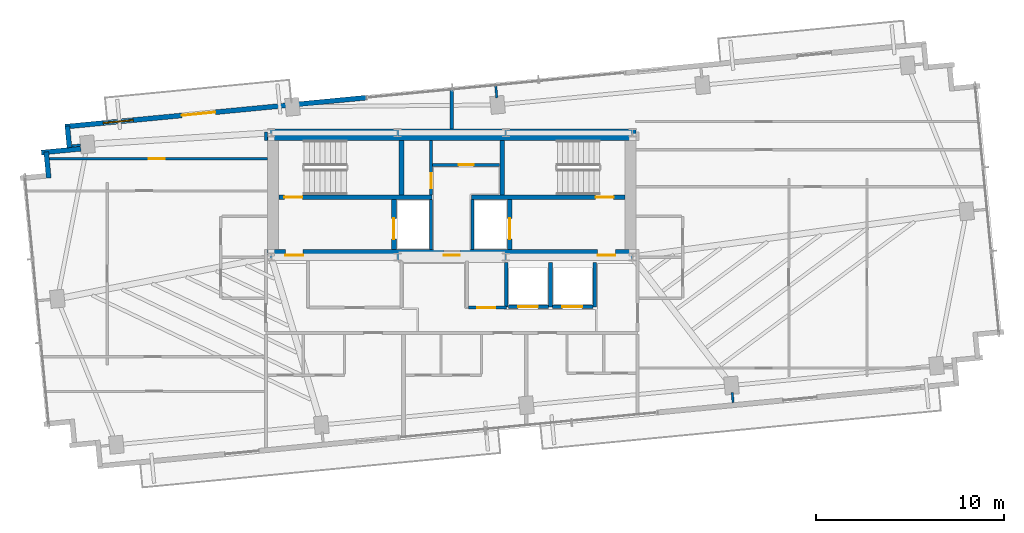
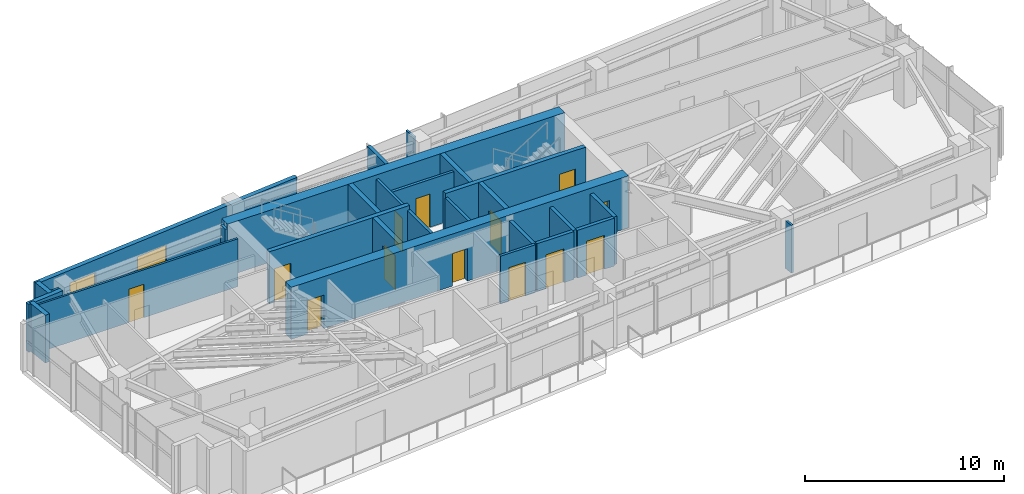
# One storey, part 14 of 18: 28 walls, 14 doors, 1 window, 15 openings.
"""IFC4 building model written with IfcOpenShell, lengths in metres."""

from ifc_helpers import new_model, si_unit, direction, frame, frame_2d, origin, place, context, subcontext, project, spatial, rectangle, extrude, source, transform, mapped, material, layer, layer_set, type_object, type_shapes, element, fill, save


model = new_model("IFC4")

# Units and contexts
model_context = context("Model", 3, precision=1e-05, world=origin(), true_north=direction((0.0, 1.0)))
body_context = subcontext(model_context, "Body", "Model", "MODEL_VIEW")
ifc_project = project(units=[si_unit("LENGTHUNIT", "METRE"), si_unit("AREAUNIT", "SQUARE_METRE"), si_unit("VOLUMEUNIT", "CUBIC_METRE"), si_unit("PLANEANGLEUNIT", "RADIAN"), si_unit("MASSUNIT", "GRAM", prefix="KILO")], contexts=[model_context])

# Site, building, storey
site_placement = place(None, origin())
site = spatial("IfcSite", under=ifc_project, at=site_placement, CompositionType="ELEMENT")
building_placement = place(site_placement, origin())
building = spatial("IfcBuilding", under=site, at=building_placement, Name="Astriad Promenade Condominiums", CompositionType="ELEMENT")
storey_placement = place(building_placement, frame((0.0, 0.0, 198.60009765625)))
storey = spatial("IfcBuildingStorey", under=building, at=storey_placement, Name="L57", CompositionType="ELEMENT", Elevation=198.60009765625)

# Wall, openings, doors
ifc_material_1 = material(Name="Concrete C50/60", Category="concrete")
ifc_layer_1 = layer(ifc_material_1, 0.60009765625)
ifc_layer_set_1 = layer_set([ifc_layer_1], Name="Concrete C50/60")
wall_type_1 = type_object("IfcWallType", Name="CW-SHEAR-600", PredefinedType="SHEAR", material=ifc_layer_set_1)
wall_1_placement = place(storey_placement, frame((26.199951171875, 17.5, 0.0), z_axis=(0.0, 0.0, 1.0), x_axis=(1.0, 0.0, 0.0)))
wall_1 = element("IfcWall", 1, at=wall_1_placement, inside=storey, type_object=wall_type_1, Name="CW-CORE-S-L57", PredefinedType="SHEAR", context=body_context, shape_type="SweptSolid", body=[
    extrude(rectangle(XDim=19.60009765625, YDim=0.60009765625, at=frame_2d((9.800048828125, 0.0))), origin(), (0.0, 0.0, 1.0), 3.199951171875),
])
opening_1_placement = place(wall_1_placement, frame((0.949951171875, 0.0, 0.0)))
opening_1 = element("IfcOpeningElement", 2, at=opening_1_placement, cuts=wall_1, Name="Opening FD90-ST-095", PredefinedType="OPENING", context=body_context, shape_type="SweptSolid", body=[
    extrude(rectangle(XDim=0.949951171875, YDim=2.06005859375, at=frame_2d((0.47509765625, 1.030029296875))), frame((0.0, 0.31005859375, 0.0), z_axis=(0.0, -1.0, 0.0), x_axis=(1.0, 0.0, 0.0)), (0.0, 0.0, 1.0), 0.6201171875),
])
opening_2_placement = place(wall_1_placement, frame((9.3798828125, 0.0, 0.0)))
opening_2 = element("IfcOpeningElement", 3, at=opening_2_placement, cuts=wall_1, Name="Opening FD60-ULOW-085", PredefinedType="OPENING", context=body_context, shape_type="SweptSolid", body=[
    extrude(rectangle(XDim=0.85009765625, YDim=2.0, at=frame_2d((0.425048828125, 1.0))), frame((0.0, 0.31005859375, 0.0), z_axis=(0.0, -1.0, 0.0), x_axis=(1.0, 0.0, 0.0)), (0.0, 0.0, 1.0), 0.6201171875),
])
opening_3_placement = place(wall_1_placement, frame((17.550048828125, 0.0, 0.0)))
opening_3 = element("IfcOpeningElement", 4, at=opening_3_placement, cuts=wall_1, Name="Opening FD90-ST-095", PredefinedType="OPENING", context=body_context, shape_type="SweptSolid", body=[
    extrude(rectangle(XDim=0.949951171875, YDim=2.06005859375, at=frame_2d((0.47509765625, 1.030029296875))), frame((0.0, 0.31005859375, 0.0), z_axis=(0.0, -1.0, 0.0), x_axis=(1.0, 0.0, 0.0)), (0.0, 0.0, 1.0), 0.6201171875),
])
ifc_material_2 = material(Name="Fire-Rated Hollow Metal Stair Door")
door_type_1 = type_object("IfcDoorType", Name="FD90-ST-095", OperationType="NOTDEFINED", PredefinedType="DOOR", material=ifc_material_2)
shared_shape_1 = source(origin(), body_context, "Body", "SweptSolid", [
    extrude(rectangle(XDim=0.949951171875, YDim=2.06005859375, at=frame_2d((0.47509765625, 1.030029296875))), frame((0.0, 0.02490234375, 0.0), z_axis=(0.0, -1.0, 0.0), x_axis=(1.0, 0.0, 0.0)), (0.0, 0.0, 1.0), 0.050048828125),
])
type_shapes(door_type_1, [shared_shape_1])
door_1_placement = place(opening_1_placement, origin())
door_1 = element("IfcDoor", 5, at=door_1_placement, inside=storey, type_object=door_type_1, Name="D-FFW-L57", OperationType="SINGLE_SWING_LEFT", OverallHeight=2.06005859375, OverallWidth=0.949951171875, PredefinedType="DOOR", context=body_context, shape_type="MappedRepresentation", body=[
    mapped(shared_shape_1, transform((0.0, 0.0, 0.0), scale=1.0)),
])
fill(opening_1, door_1)
door_2_placement = place(opening_3_placement, origin())
door_2 = element("IfcDoor", 6, at=door_2_placement, inside=storey, type_object=door_type_1, Name="D-FFE-L57", OperationType="SINGLE_SWING_RIGHT", OverallHeight=2.06005859375, OverallWidth=0.949951171875, PredefinedType="DOOR", context=body_context, shape_type="MappedRepresentation", body=[
    mapped(shared_shape_1, transform((0.0, 0.0, 0.0), scale=1.0)),
])
fill(opening_3, door_2)
ifc_material_3 = material(Name="Solid-Core Low-Headroom Fire Door")
door_type_2 = type_object("IfcDoorType", Name="FD60-ULOW-085", OperationType="NOTDEFINED", PredefinedType="DOOR", material=ifc_material_3)
shared_shape_2 = source(origin(), body_context, "Body", "SweptSolid", [
    extrude(rectangle(XDim=0.85009765625, YDim=2.0, at=frame_2d((0.425048828125, 1.0))), frame((0.0, 0.02490234375, 0.0), z_axis=(0.0, -1.0, 0.0), x_axis=(1.0, 0.0, 0.0)), (0.0, 0.0, 1.0), 0.050048828125),
])
type_shapes(door_type_2, [shared_shape_2])
door_3_placement = place(opening_2_placement, origin())
door_3 = element("IfcDoor", 7, at=door_3_placement, inside=storey, type_object=door_type_2, Name="D-CSL-L57", OperationType="SINGLE_SWING_RIGHT", OverallHeight=2.0, OverallWidth=0.85009765625, PredefinedType="DOOR", context=body_context, shape_type="MappedRepresentation", body=[
    mapped(shared_shape_2, transform((0.0, 0.0, 0.0), scale=1.0)),
])
fill(opening_2, door_3)

# Wall
wall_2_placement = place(storey_placement, frame((26.199951171875, 23.89990234375, 0.0), z_axis=(0.0, 0.0, 1.0), x_axis=(1.0, 0.0, 0.0)))
element("IfcWall", 8, at=wall_2_placement, inside=storey, type_object=wall_type_1, Name="CW-CORE-N-L57", PredefinedType="SHEAR", context=body_context, shape_type="SweptSolid", body=[
    extrude(rectangle(XDim=19.60009765625, YDim=0.60009765625, at=frame_2d((9.800048828125, 0.0))), origin(), (0.0, 0.0, 1.0), 3.199951171875),
])

# Wall, opening, door
ifc_layer_2 = layer(ifc_material_1, 0.25)
ifc_layer_set_2 = layer_set([ifc_layer_2], Name="Concrete C50/60")
wall_type_2 = type_object("IfcWallType", Name="WALL-CORE-INT-250", PredefinedType="SOLIDWALL", material=ifc_layer_set_2)
wall_3_placement = place(storey_placement, frame((26.802001953125, 20.574951171875, 0.0), z_axis=(0.0, 0.0, 1.0), x_axis=(1.0, 0.0, 0.0)))
wall_3 = element("IfcWall", 9, at=wall_3_placement, inside=storey, type_object=wall_type_2, Name="CW-INT-H1-L57", PredefinedType="SOLIDWALL", context=body_context, shape_type="SweptSolid", body=[
    extrude(rectangle(XDim=8.14794921875, YDim=0.25, at=frame_2d((4.073974609375, 0.0))), origin(), (0.0, 0.0, 1.0), 3.199951171875),
])
opening_4_placement = place(wall_3_placement, frame((0.298095703125, 0.0, 0.0)))
opening_4 = element("IfcOpeningElement", 10, at=opening_4_placement, cuts=wall_3, Name="Opening FD90-ST-095", PredefinedType="OPENING", context=body_context, shape_type="SweptSolid", body=[
    extrude(rectangle(XDim=0.949951171875, YDim=2.06005859375, at=frame_2d((0.47509765625, 1.030029296875))), frame((0.0, 0.135009765625, 0.0), z_axis=(0.0, -1.0, 0.0), x_axis=(1.0, 0.0, 0.0)), (0.0, 0.0, 1.0), 0.27001953125),
])
door_4_placement = place(opening_4_placement, origin())
door_4 = element("IfcDoor", 11, at=door_4_placement, inside=storey, type_object=door_type_1, Name="D-ST1-L57", OperationType="SINGLE_SWING_LEFT", OverallHeight=2.06005859375, OverallWidth=0.949951171875, PredefinedType="DOOR", context=body_context, shape_type="MappedRepresentation", body=[
    mapped(shared_shape_1, transform((0.0, 0.0, 0.0), scale=1.0)),
])
fill(opening_4, door_4)

wall_4_placement = place(storey_placement, frame((37.050048828125, 20.574951171875, 0.0), z_axis=(0.0, 0.0, 1.0), x_axis=(1.0, 0.0, 0.0)))
wall_4 = element("IfcWall", 12, at=wall_4_placement, inside=storey, type_object=wall_type_2, Name="CW-INT-H2-L57", PredefinedType="SOLIDWALL", context=body_context, shape_type="SweptSolid", body=[
    extrude(rectangle(XDim=8.14794921875, YDim=0.25, at=frame_2d((4.073974609375, 0.0))), origin(), (0.0, 0.0, 1.0), 3.199951171875),
])
opening_5_placement = place(wall_4_placement, frame((6.60009765625, 0.0, 0.0)))
opening_5 = element("IfcOpeningElement", 13, at=opening_5_placement, cuts=wall_4, Name="Opening FD90-ST-095", PredefinedType="OPENING", context=body_context, shape_type="SweptSolid", body=[
    extrude(rectangle(XDim=0.949951171875, YDim=2.06005859375, at=frame_2d((0.47509765625, 1.030029296875))), frame((0.0, 0.135009765625, 0.0), z_axis=(0.0, -1.0, 0.0), x_axis=(1.0, 0.0, 0.0)), (0.0, 0.0, 1.0), 0.27001953125),
])
door_5_placement = place(opening_5_placement, origin())
door_5 = element("IfcDoor", 14, at=door_5_placement, inside=storey, type_object=door_type_1, Name="D-ST2-L57", OperationType="SINGLE_SWING_RIGHT", OverallHeight=2.06005859375, OverallWidth=0.949951171875, PredefinedType="DOOR", context=body_context, shape_type="MappedRepresentation", body=[
    mapped(shared_shape_1, transform((0.0, 0.0, 0.0), scale=1.0)),
])
fill(opening_5, door_5)

# Walls
for number, where, z_axis, x_axis, name in (
    (15, (33.324951171875, 20.701904296875, 0.0), (0.0, 0.0, 1.0), (0.0, 1.0, 0.0), "CW-ST1-E-L57"),
    (16, (38.675048828125, 20.701904296875, 0.0), (0.0, 0.0, 1.0), (0.0, 1.0, 0.0), "CW-ST2-W-L57"),
):
    element("IfcWall", number, at=place(storey_placement, frame(where, z_axis=z_axis, x_axis=x_axis)), inside=storey, type_object=wall_type_2, Name=name, PredefinedType="SOLIDWALL", context=body_context, shape_type="SweptSolid", body=[
        extrude(rectangle(XDim=2.89599609375, YDim=0.25, at=frame_2d((1.447998046875, 0.0))), origin(), (0.0, 0.0, 1.0), 3.199951171875),
    ])

# Wall, opening, door
wall_5_placement = place(storey_placement, frame((32.925048828125, 17.802001953125, 0.0), z_axis=(0.0, 0.0, 1.0), x_axis=(0.0, 1.0, 0.0)))
wall_5 = element("IfcWall", 17, at=wall_5_placement, inside=storey, type_object=wall_type_2, Name="CW-FFL1-W-L57", PredefinedType="SOLIDWALL", context=body_context, shape_type="SweptSolid", body=[
    extrude(rectangle(XDim=2.64599609375, YDim=0.25, at=frame_2d((1.322998046875, 0.0))), origin(), (0.0, 0.0, 1.0), 3.199951171875),
])
opening_6_placement = place(wall_5_placement, frame((0.548095703125, 0.0, 0.0)))
opening_6 = element("IfcOpeningElement", 18, at=opening_6_placement, cuts=wall_5, Name="Opening LD-FFL-1122", PredefinedType="OPENING", context=body_context, shape_type="SweptSolid", body=[
    extrude(rectangle(XDim=1.10009765625, YDim=2.080078125, at=frame_2d((0.550048828125, 1.0400390625))), frame((0.0, 0.135009765625, 0.0), z_axis=(0.0, -1.0, 0.0), x_axis=(1.0, 0.0, 0.0)), (0.0, 0.0, 1.0), 0.27001953125),
])
ifc_material_4 = material(Name="Brushed Stainless Steel Fire Elevator Landing Door", Category="steel")
door_type_3 = type_object("IfcDoorType", Name="LD-FFL-1122", OperationType="NOTDEFINED", PredefinedType="DOOR", material=ifc_material_4)
shared_shape_3 = source(origin(), body_context, "Body", "SweptSolid", [
    extrude(rectangle(XDim=1.10009765625, YDim=2.080078125, at=frame_2d((0.550048828125, 1.0400390625))), frame((0.0, 0.02490234375, 0.0), z_axis=(0.0, -1.0, 0.0), x_axis=(1.0, 0.0, 0.0)), (0.0, 0.0, 1.0), 0.050048828125),
])
type_shapes(door_type_3, [shared_shape_3])
door_6_placement = place(opening_6_placement, origin())
door_6 = element("IfcDoor", 19, at=door_6_placement, inside=storey, type_object=door_type_3, Name="Elevator Landing Door FFL-1 (L57)", OperationType="SLIDING_TO_LEFT", OverallHeight=2.080078125, OverallWidth=1.10009765625, PredefinedType="DOOR", context=body_context, shape_type="MappedRepresentation", body=[
    mapped(shared_shape_3, transform((0.0, 0.0, 0.0), scale=1.0)),
])
fill(opening_6, door_6)

wall_6_placement = place(storey_placement, frame((39.074951171875, 17.802001953125, 0.0), z_axis=(0.0, 0.0, 1.0), x_axis=(0.0, 1.0, 0.0)))
wall_6 = element("IfcWall", 20, at=wall_6_placement, inside=storey, type_object=wall_type_2, Name="CW-FFL2-E-L57", PredefinedType="SOLIDWALL", context=body_context, shape_type="SweptSolid", body=[
    extrude(rectangle(XDim=2.64599609375, YDim=0.25, at=frame_2d((1.322998046875, 0.0))), origin(), (0.0, 0.0, 1.0), 3.199951171875),
])
opening_7_placement = place(wall_6_placement, frame((0.548095703125, 0.0, 0.0)))
opening_7 = element("IfcOpeningElement", 21, at=opening_7_placement, cuts=wall_6, Name="Opening LD-FFL-1122", PredefinedType="OPENING", context=body_context, shape_type="SweptSolid", body=[
    extrude(rectangle(XDim=1.10009765625, YDim=2.080078125, at=frame_2d((0.550048828125, 1.0400390625))), frame((0.0, 0.135009765625, 0.0), z_axis=(0.0, -1.0, 0.0), x_axis=(1.0, 0.0, 0.0)), (0.0, 0.0, 1.0), 0.27001953125),
])
door_7_placement = place(opening_7_placement, origin())
door_7 = element("IfcDoor", 22, at=door_7_placement, inside=storey, type_object=door_type_3, Name="Elevator Landing Door FFL-2 (L57)", OperationType="SLIDING_TO_RIGHT", OverallHeight=2.080078125, OverallWidth=1.10009765625, PredefinedType="DOOR", context=body_context, shape_type="MappedRepresentation", body=[
    mapped(shared_shape_3, transform((0.0, 0.0, 0.0), scale=1.0)),
])
fill(opening_7, door_7)

# Walls
ifc_material_5 = material(Name="Fire-Rated Gypsum Partition")
ifc_layer_3 = layer(ifc_material_5, 0.159912109375)
ifc_layer_set_3 = layer_set([ifc_layer_3], Name="Fire-Rated Gypsum Partition")
wall_type_3 = type_object("IfcWallType", Name="WALL-CORR-160", PredefinedType="PARTITIONING", material=ifc_layer_set_3)
for number, where, z_axis, x_axis, name in (
    (23, (34.89990234375, 17.802001953125, 0.0), (0.0, 0.0, 1.0), (0.0, 1.0, 0.0), "CW-FFL1-E-L57"),
    (24, (37.10009765625, 17.802001953125, 0.0), (0.0, 0.0, 1.0), (0.0, 1.0, 0.0), "CW-FFL2-W-L57"),
):
    element("IfcWall", number, at=place(storey_placement, frame(where, z_axis=z_axis, x_axis=x_axis)), inside=storey, type_object=wall_type_3, Name=name, PredefinedType="PARTITIONING", context=body_context, shape_type="SweptSolid", body=[
        extrude(rectangle(XDim=2.64599609375, YDim=0.159912109375, at=frame_2d((1.322998046875, 0.0))), origin(), (0.0, 0.0, 1.0), 2.93994140625),
    ])

# Wall, opening, door
wall_7_placement = place(storey_placement, frame((34.89990234375, 20.701904296875, 0.0), z_axis=(0.0, 0.0, 1.0), x_axis=(0.0, 1.0, 0.0)))
wall_7 = element("IfcWall", 25, at=wall_7_placement, inside=storey, type_object=wall_type_3, Name="CW-AUX-W-L57", PredefinedType="PARTITIONING", context=body_context, shape_type="SweptSolid", body=[
    extrude(rectangle(XDim=2.89599609375, YDim=0.159912109375, at=frame_2d((1.447998046875, 0.0))), origin(), (0.0, 0.0, 1.0), 2.93994140625),
])
opening_8_placement = place(wall_7_placement, frame((0.347900390625, 0.0, 0.0)))
opening_8 = element("IfcOpeningElement", 26, at=opening_8_placement, cuts=wall_7, Name="Opening FD60-SV-080", PredefinedType="OPENING", context=body_context, shape_type="SweptSolid", body=[
    extrude(rectangle(XDim=0.800048828125, YDim=2.050048828125, at=frame_2d((0.39990234375, 1.02490234375))), frame((0.0, 0.08984375, 0.0), z_axis=(0.0, -1.0, 0.0), x_axis=(1.0, 0.0, 0.0)), (0.0, 0.0, 1.0), 0.179931640625),
])
ifc_material_6 = material(Name="Fire-Rated Riser Closet Door")
door_type_4 = type_object("IfcDoorType", Name="FD60-SV-080", OperationType="NOTDEFINED", PredefinedType="DOOR", material=ifc_material_6)
shared_shape_4 = source(origin(), body_context, "Body", "SweptSolid", [
    extrude(rectangle(XDim=0.800048828125, YDim=2.050048828125, at=frame_2d((0.39990234375, 1.02490234375))), frame((0.0, 0.02490234375, 0.0), z_axis=(0.0, -1.0, 0.0), x_axis=(1.0, 0.0, 0.0)), (0.0, 0.0, 1.0), 0.050048828125),
])
type_shapes(door_type_4, [shared_shape_4])
door_8_placement = place(opening_8_placement, origin())
door_8 = element("IfcDoor", 27, at=door_8_placement, inside=storey, type_object=door_type_4, Name="D-AUX1-L57", OperationType="SINGLE_SWING_LEFT", OverallHeight=2.050048828125, OverallWidth=0.800048828125, PredefinedType="DOOR", context=body_context, shape_type="MappedRepresentation", body=[
    mapped(shared_shape_4, transform((0.0, 0.0, 0.0), scale=1.0)),
])
fill(opening_8, door_8)

wall_8_placement = place(storey_placement, frame((34.98193359375, 22.300048828125, 0.0), z_axis=(0.0, 0.0, 1.0), x_axis=(1.0, 0.0, 0.0)))
wall_8 = element("IfcWall", 28, at=wall_8_placement, inside=storey, type_object=wall_type_3, Name="CW-AUX-N-L57", PredefinedType="PARTITIONING", context=body_context, shape_type="SweptSolid", body=[
    extrude(rectangle(XDim=3.566162109375, YDim=0.159912109375, at=frame_2d((1.783203125, 0.0))), origin(), (0.0, 0.0, 1.0), 2.93994140625),
])
opening_9_placement = place(wall_8_placement, frame((1.3779296875, 0.0, 0.0)))
opening_9 = element("IfcOpeningElement", 29, at=opening_9_placement, cuts=wall_8, Name="Opening FD60-SV-080", PredefinedType="OPENING", context=body_context, shape_type="SweptSolid", body=[
    extrude(rectangle(XDim=0.800048828125, YDim=2.050048828125, at=frame_2d((0.39990234375, 1.02490234375))), frame((0.0, 0.08984375, 0.0), z_axis=(0.0, -1.0, 0.0), x_axis=(1.0, 0.0, 0.0)), (0.0, 0.0, 1.0), 0.179931640625),
])
door_9_placement = place(opening_9_placement, origin())
door_9 = element("IfcDoor", 30, at=door_9_placement, inside=storey, type_object=door_type_4, Name="D-AUX2-L57", OperationType="SINGLE_SWING_RIGHT", OverallHeight=2.050048828125, OverallWidth=0.800048828125, PredefinedType="DOOR", context=body_context, shape_type="MappedRepresentation", body=[
    mapped(shared_shape_4, transform((0.0, 0.0, 0.0), scale=1.0)),
])
fill(opening_9, door_9)

# Wall
wall_9_placement = place(storey_placement, frame((26.1201171875, 23.597900390625, 0.0), z_axis=(0.0, 0.0, 1.0), x_axis=(0.0, 1.0, 0.0)))
element("IfcWall", 31, at=wall_9_placement, inside=storey, type_object=wall_type_3, Name="PT-COR-W-L57-S3", PredefinedType="PARTITIONING", context=body_context, shape_type="SweptSolid", body=[
    extrude(rectangle(XDim=0.4521484375, YDim=0.159912109375, at=frame_2d((0.22607421875, 0.0))), origin(), (0.0, 0.0, 1.0), 2.93994140625),
])

# Wall, opening, door
wall_10_placement = place(storey_placement, frame((36.882080078125, 14.699951171875, 0.0), z_axis=(0.0, 0.0, 1.0), x_axis=(1.0, 0.0, 0.0)))
wall_10 = element("IfcWall", 32, at=wall_10_placement, inside=storey, type_object=wall_type_3, Name="PT-Z3R2-S-L57", PredefinedType="PARTITIONING", context=body_context, shape_type="SweptSolid", body=[
    extrude(rectangle(XDim=2.017822265625, YDim=0.159912109375, at=frame_2d((1.0087890625, 0.0))), origin(), (0.0, 0.0, 1.0), 2.93994140625),
])
opening_10_placement = place(wall_10_placement, frame((0.48291015625, 0.0, 0.0)))
opening_10 = element("IfcOpeningElement", 33, at=opening_10_placement, cuts=wall_10, Name="Opening FD60-APT-095", PredefinedType="OPENING", context=body_context, shape_type="SweptSolid", body=[
    extrude(rectangle(XDim=0.949951171875, YDim=2.06005859375, at=frame_2d((0.47509765625, 1.030029296875))), frame((0.0, 0.08984375, 0.0), z_axis=(0.0, -1.0, 0.0), x_axis=(1.0, 0.0, 0.0)), (0.0, 0.0, 1.0), 0.179931640625),
])
ifc_material_7 = material(Name="Solid-Core Acoustic Timber Residence Entry Door", Category="wood")
door_type_5 = type_object("IfcDoorType", Name="FD60-APT-095", OperationType="NOTDEFINED", PredefinedType="DOOR", material=ifc_material_7)
shared_shape_5 = source(origin(), body_context, "Body", "SweptSolid", [
    extrude(rectangle(XDim=0.949951171875, YDim=2.06005859375, at=frame_2d((0.47509765625, 1.030029296875))), frame((0.0, 0.02490234375, 0.0), z_axis=(0.0, -1.0, 0.0), x_axis=(1.0, 0.0, 0.0)), (0.0, 0.0, 1.0), 0.050048828125),
])
type_shapes(door_type_5, [shared_shape_5])
door_10_placement = place(opening_10_placement, origin())
door_10 = element("IfcDoor", 34, at=door_10_placement, inside=storey, type_object=door_type_5, Name="D-Z3N-L57", OperationType="SINGLE_SWING_RIGHT", OverallHeight=2.06005859375, OverallWidth=0.949951171875, PredefinedType="DOOR", context=body_context, shape_type="MappedRepresentation", body=[
    mapped(shared_shape_5, transform((0.0, 0.0, 0.0), scale=1.0)),
])
fill(opening_10, door_10)

# Walls
ifc_material_8 = material(Name="Acoustic Double-Stud Gypsum Partition")
ifc_layer_4 = layer(ifc_material_8, 0.199951171875)
ifc_layer_set_4 = layer_set([ifc_layer_4], Name="Acoustic Double-Stud Gypsum Partition")
wall_type_4 = type_object("IfcWallType", Name="WALL-DEMISING-200", PredefinedType="PARTITIONING", material=ifc_layer_set_4)
wall_11_placement = place(storey_placement, frame((36.0, 24.201904296875, 0.0), z_axis=(0.0, 0.0, 1.0), x_axis=(0.0, 1.0, 0.0)))
element("IfcWall", 35, at=wall_11_placement, inside=storey, type_object=wall_type_4, Name="PT-NC-MID-L57", PredefinedType="PARTITIONING", context=body_context, shape_type="SweptSolid", body=[
    extrude(rectangle(XDim=2.152099609375, YDim=0.199951171875, at=frame_2d((1.076171875, 0.0))), origin(), (0.0, 0.0, 1.0), 2.93994140625),
])
ifc_material_9 = material(Name="Precast concrete C50/60", Category="concrete")
ifc_layer_5 = layer(ifc_material_9, 0.260009765625)
ifc_layer_set_5 = layer_set([ifc_layer_5], Name="Precast concrete C50/60")
wall_type_5 = type_object("IfcWallType", Name="WALL-EXT-TWR-260", PredefinedType="STANDARD", material=ifc_layer_set_5)
wall_12_placement = place(storey_placement, frame((14.57373046875, 21.5986328125, 0.0), z_axis=(0.0, 0.0, 1.0), x_axis=(-0.095742423056, 0.99540614245, 0.0)))
element("IfcWall", 36, at=wall_12_placement, inside=storey, type_object=wall_type_5, Name="W-SER-L57-05", PredefinedType="STANDARD", context=body_context, shape_type="SweptSolid", body=[
    extrude(rectangle(XDim=1.394775390625, YDim=0.260009765625, at=frame_2d((0.697265625, 0.0))), origin(), (0.0, 0.0, 1.0), 2.93994140625),
])
wall_13_placement = place(storey_placement, frame((14.182861328125, 22.947265625, 0.0), z_axis=(0.0, 0.0, 1.0), x_axis=(0.995401580483, 0.095789840651, 0.0)))
element("IfcWall", 37, at=wall_13_placement, inside=storey, type_object=wall_type_5, Name="W-SER-L57-06", PredefinedType="STANDARD", context=body_context, shape_type="SweptSolid", body=[
    extrude(rectangle(XDim=2.102783203125, YDim=0.260009765625, at=frame_2d((1.05126953125, 0.0))), origin(), (0.0, 0.0, 1.0), 2.93994140625),
])
wall_14_placement = place(storey_placement, frame((15.6748046875, 23.20654296875, 0.0), z_axis=(0.0, 0.0, 1.0), x_axis=(-0.095951054827, 0.995386053287, 0.0)))
element("IfcWall", 38, at=wall_14_placement, inside=storey, type_object=wall_type_5, Name="W-SER-L57-07", PredefinedType="STANDARD", context=body_context, shape_type="SweptSolid", body=[
    extrude(rectangle(XDim=1.150146484375, YDim=0.260009765625, at=frame_2d((0.5751953125, 0.0))), origin(), (0.0, 0.0, 1.0), 2.93994140625),
])

# Wall, openings, door, window
wall_15_placement = place(storey_placement, frame((15.4365234375, 24.32373046875, 0.0), z_axis=(0.0, 0.0, 1.0), x_axis=(0.995395627913, 0.095851676732, 0.0)))
wall_15 = element("IfcWall", 39, at=wall_15_placement, inside=storey, type_object=wall_type_5, Name="W-EXT-L57-N1", PredefinedType="STANDARD", context=body_context, shape_type="SweptSolid", body=[
    extrude(rectangle(XDim=16.10009765625, YDim=0.260009765625, at=frame_2d((8.050048828125, 0.0))), origin(), (0.0, 0.0, 1.0), 2.93994140625),
])
opening_11_placement = place(wall_15_placement, frame((6.23193359375, 0.0, 0.0)))
opening_11 = element("IfcOpeningElement", 40, at=opening_11_placement, cuts=wall_15, Name="Opening BD-1822-SLD", PredefinedType="OPENING", context=body_context, shape_type="SweptSolid", body=[
    extrude(rectangle(XDim=1.800048828125, YDim=2.06005859375, at=frame_2d((0.89990234375, 1.030029296875))), frame((0.0, 0.139892578125, 0.0), z_axis=(0.0, -1.0, 0.0), x_axis=(1.0, 0.0, 0.0)), (0.0, 0.0, 1.0), 0.280029296875),
])
opening_12_placement = place(wall_15_placement, frame((2.050048828125, 0.0, 0.64990234375)))
opening_12 = element("IfcOpeningElement", 41, at=opening_12_placement, cuts=wall_15, Name="Opening WIN-TWR-1620", PredefinedType="OPENING", context=body_context, shape_type="SweptSolid", body=[
    extrude(rectangle(XDim=1.60009765625, YDim=1.5, at=frame_2d((0.800048828125, 0.75))), frame((0.0, 0.139892578125, 0.0), z_axis=(0.0, -1.0, 0.0), x_axis=(1.0, 0.0, 0.0)), (0.0, 0.0, 1.0), 0.280029296875),
])
ifc_material_10 = material(Name="Thermally Broken Aluminium Sliding Balcony Door", Category="aluminium")
door_type_6 = type_object("IfcDoorType", Name="BD-1822-SLD", OperationType="NOTDEFINED", PredefinedType="DOOR", material=ifc_material_10)
shared_shape_6 = source(origin(), body_context, "Body", "SweptSolid", [
    extrude(rectangle(XDim=1.800048828125, YDim=2.06005859375, at=frame_2d((0.89990234375, 1.030029296875))), frame((0.0, 0.02490234375, 0.0), z_axis=(0.0, -1.0, 0.0), x_axis=(1.0, 0.0, 0.0)), (0.0, 0.0, 1.0), 0.050048828125),
])
type_shapes(door_type_6, [shared_shape_6])
door_11_placement = place(opening_11_placement, origin())
door_11 = element("IfcDoor", 42, at=door_11_placement, inside=storey, type_object=door_type_6, Name="BD-L57-NW", OperationType="SLIDING_TO_LEFT", OverallHeight=2.06005859375, OverallWidth=1.800048828125, PredefinedType="DOOR", context=body_context, shape_type="MappedRepresentation", body=[
    mapped(shared_shape_6, transform((0.0, 0.0, 0.0), scale=1.0)),
])
fill(opening_11, door_11)
ifc_material_11 = material(Name="Dark Tinted Triple-Glazed Aluminium Window", Category="aluminium")
window_type = type_object("IfcWindowType", Name="WIN-TWR-1620", PartitioningType="SINGLE_PANEL", PredefinedType="WINDOW", material=ifc_material_11)
shared_shape_7 = source(origin(), body_context, "Body", "SweptSolid", [
    extrude(rectangle(XDim=1.60009765625, YDim=1.5, at=frame_2d((0.800048828125, 0.75))), frame((0.0, 0.030029296875, 0.0), z_axis=(0.0, -1.0, 0.0), x_axis=(1.0, 0.0, 0.0)), (0.0, 0.0, 1.0), 0.06005859375),
])
type_shapes(window_type, [shared_shape_7])
window_placement = place(opening_12_placement, origin())
window = element("IfcWindow", 43, at=window_placement, inside=storey, type_object=window_type, Name="WIN-L57-NW", OverallHeight=1.5, OverallWidth=1.60009765625, PartitioningType="SINGLE_PANEL", PredefinedType="WINDOW", context=body_context, shape_type="MappedRepresentation", body=[
    mapped(shared_shape_7, transform((0.0, 0.0, 0.0), scale=1.0)),
])
fill(opening_12, window)

# Wall, opening, door
ifc_material_12 = material(Name="Acoustic Metal-Stud Gypsum Partition")
ifc_layer_6 = layer(ifc_material_12, 0.1201171875)
ifc_layer_set_6 = layer_set([ifc_layer_6], Name="Acoustic Metal-Stud Gypsum Partition")
wall_type_6 = type_object("IfcWallType", Name="WALL-PART-120", PredefinedType="PARTITIONING", material=ifc_layer_set_6)
wall_16_placement = place(storey_placement, frame((14.60791015625, 22.6220703125, 0.0), z_axis=(0.0, 0.0, 1.0), x_axis=(1.0, 0.0, 0.0)))
wall_16 = element("IfcWall", 44, at=wall_16_placement, inside=storey, type_object=wall_type_6, Name="PT-L57-W1-WDN2", PredefinedType="PARTITIONING", context=body_context, shape_type="SweptSolid", body=[
    extrude(rectangle(XDim=11.590087890625, YDim=0.1201171875, at=frame_2d((5.794921875, 0.0))), origin(), (0.0, 0.0, 1.0), 2.93994140625),
])
opening_13_placement = place(wall_16_placement, frame((5.27001953125, 0.0, 0.0)))
opening_13 = element("IfcOpeningElement", 45, at=opening_13_placement, cuts=wall_16, Name="Opening D-INT-085", PredefinedType="OPENING", context=body_context, shape_type="SweptSolid", body=[
    extrude(rectangle(XDim=0.85009765625, YDim=2.050048828125, at=frame_2d((0.425048828125, 1.02490234375))), frame((0.0, 0.070068359375, 0.0), z_axis=(0.0, -1.0, 0.0), x_axis=(1.0, 0.0, 0.0)), (0.0, 0.0, 1.0), 0.14013671875),
])
ifc_material_13 = material(Name="Painted Solid-Core Timber Room Door", Category="wood")
door_type_7 = type_object("IfcDoorType", Name="D-INT-085", OperationType="NOTDEFINED", PredefinedType="DOOR", material=ifc_material_13)
shared_shape_8 = source(origin(), body_context, "Body", "SweptSolid", [
    extrude(rectangle(XDim=0.85009765625, YDim=2.050048828125, at=frame_2d((0.425048828125, 1.02490234375))), frame((0.0, 0.02490234375, 0.0), z_axis=(0.0, -1.0, 0.0), x_axis=(1.0, 0.0, 0.0)), (0.0, 0.0, 1.0), 0.050048828125),
])
type_shapes(door_type_7, [shared_shape_8])
door_12_placement = place(opening_13_placement, origin())
door_12 = element("IfcDoor", 46, at=door_12_placement, inside=storey, type_object=door_type_7, Name="D-WDN2-L57-W1", OperationType="SINGLE_SWING_RIGHT", OverallHeight=2.050048828125, OverallWidth=0.85009765625, PredefinedType="DOOR", context=body_context, shape_type="MappedRepresentation", body=[
    mapped(shared_shape_8, transform((0.0, 0.0, 0.0), scale=1.0)),
])
fill(opening_13, door_12)

# Walls
wall_17_placement = place(storey_placement, frame((50.90478515625, 10.18798828125, 0.0), z_axis=(0.0, 0.0, 1.0), x_axis=(0.095772948675, -0.995403205893, 0.0)))
element("IfcWall", 47, at=wall_17_placement, inside=storey, type_object=wall_type_6, Name="PT-PIL-L57-PC04-11", PredefinedType="PARTITIONING", context=body_context, shape_type="SweptSolid", body=[
    extrude(rectangle(XDim=0.537841796875, YDim=0.1201171875, at=frame_2d((0.26904296875, 0.0))), origin(), (0.0, 0.0, 1.0), 2.93994140625),
])
wall_18_placement = place(storey_placement, frame((16.25390625, 23.34765625, 0.0), z_axis=(0.0, 0.0, 1.0), x_axis=(-0.995389482415, -0.095915474751, 0.0)))
element("IfcWall", 48, at=wall_18_placement, inside=storey, type_object=wall_type_6, Name="PT-PIL-L57-PC06-13", PredefinedType="PARTITIONING", context=body_context, shape_type="SweptSolid", body=[
    extrude(rectangle(XDim=0.458251953125, YDim=0.1201171875, at=frame_2d((0.22900390625, 0.0))), origin(), (0.0, 0.0, 1.0), 2.93994140625),
])
wall_19_placement = place(storey_placement, frame((38.39501953125, 25.861328125, 0.0), z_axis=(0.0, 0.0, 1.0), x_axis=(-0.095977354523, 0.995383517755, 0.0)))
element("IfcWall", 49, at=wall_19_placement, inside=storey, type_object=wall_type_6, Name="PT-PIL-L57-PC08-15", PredefinedType="PARTITIONING", context=body_context, shape_type="SweptSolid", body=[
    extrude(rectangle(XDim=0.719970703125, YDim=0.1201171875, at=frame_2d((0.35986328125, 0.0))), origin(), (0.0, 0.0, 1.0), 2.93994140625),
])
ifc_material_14 = material(Name="Gypsum Shaftliner Assembly")
ifc_layer_7 = layer(ifc_material_14, 0.199951171875)
ifc_layer_set_7 = layer_set([ifc_layer_7], Name="Gypsum Shaftliner Assembly")
wall_type_7 = type_object("IfcWallType", Name="WALL-SHAFT-200", PredefinedType="PARTITIONING", material=ifc_layer_set_7)
for number, where, z_axis, x_axis, name in (
    (50, (38.89990234375, 14.75, 0.0), (0.0, 0.0, 1.0), (0.0, 1.0, 0.0), "PL-MH-DIV-L57"),
    (51, (41.25, 14.75, 0.0), (0.0, 0.0, 1.0), (0.0, 1.0, 0.0), "PL-H-DIV-L57"),
    (52, (43.60009765625, 14.75, 0.0), (0.0, 0.0, 1.0), (0.0, 1.0, 0.0), "PL-E-OUT-L57"),
):
    element("IfcWall", number, at=place(storey_placement, frame(where, z_axis=z_axis, x_axis=x_axis)), inside=storey, type_object=wall_type_7, Name=name, PredefinedType="PARTITIONING", context=body_context, shape_type="SweptSolid", body=[
        extrude(rectangle(XDim=2.35009765625, YDim=0.199951171875, at=frame_2d((1.175048828125, 0.0))), origin(), (0.0, 0.0, 1.0), 2.93994140625),
    ])

# Wall, opening, door
wall_20_placement = place(storey_placement, frame((39.001953125, 14.75, 0.0), z_axis=(0.0, 0.0, 1.0), x_axis=(1.0, 0.0, 0.0)))
wall_20 = element("IfcWall", 53, at=wall_20_placement, inside=storey, type_object=wall_type_7, Name="PL-H-FRT-L57", PredefinedType="PARTITIONING", context=body_context, shape_type="SweptSolid", body=[
    extrude(rectangle(XDim=2.14599609375, YDim=0.199951171875, at=frame_2d((1.072998046875, 0.0))), origin(), (0.0, 0.0, 1.0), 2.93994140625),
])
opening_14_placement = place(wall_20_placement, frame((0.52294921875, 0.0, 0.0)))
opening_14 = element("IfcOpeningElement", 54, at=opening_14_placement, cuts=wall_20, Name="Opening LD-PL-10522", PredefinedType="OPENING", context=body_context, shape_type="SweptSolid", body=[
    extrude(rectangle(XDim=1.050048828125, YDim=2.080078125, at=frame_2d((0.52490234375, 1.0400390625))), frame((0.0, 0.10986328125, 0.0), z_axis=(0.0, -1.0, 0.0), x_axis=(1.0, 0.0, 0.0)), (0.0, 0.0, 1.0), 0.219970703125),
])
ifc_material_15 = material(Name="Brushed Bronze Passenger Elevator Landing Door")
door_type_8 = type_object("IfcDoorType", Name="LD-PL-10522", OperationType="NOTDEFINED", PredefinedType="DOOR", material=ifc_material_15)
shared_shape_9 = source(origin(), body_context, "Body", "SweptSolid", [
    extrude(rectangle(XDim=1.050048828125, YDim=2.080078125, at=frame_2d((0.52490234375, 1.0400390625))), frame((0.0, 0.02490234375, 0.0), z_axis=(0.0, -1.0, 0.0), x_axis=(1.0, 0.0, 0.0)), (0.0, 0.0, 1.0), 0.050048828125),
])
type_shapes(door_type_8, [shared_shape_9])
door_13_placement = place(opening_14_placement, origin())
door_13 = element("IfcDoor", 55, at=door_13_placement, inside=storey, type_object=door_type_8, Name="Elevator Landing Door PL-H1 (L57)", OperationType="SLIDING_TO_LEFT", OverallHeight=2.080078125, OverallWidth=1.050048828125, PredefinedType="DOOR", context=body_context, shape_type="MappedRepresentation", body=[
    mapped(shared_shape_9, transform((0.0, 0.0, 0.0), scale=1.0)),
])
fill(opening_14, door_13)

wall_21_placement = place(storey_placement, frame((41.35205078125, 14.75, 0.0), z_axis=(0.0, 0.0, 1.0), x_axis=(1.0, 0.0, 0.0)))
wall_21 = element("IfcWall", 56, at=wall_21_placement, inside=storey, type_object=wall_type_7, Name="PL-H-FRT-L57-S2", PredefinedType="PARTITIONING", context=body_context, shape_type="SweptSolid", body=[
    extrude(rectangle(XDim=2.14599609375, YDim=0.199951171875, at=frame_2d((1.072998046875, 0.0))), origin(), (0.0, 0.0, 1.0), 2.93994140625),
])
opening_15_placement = place(wall_21_placement, frame((0.52294921875, 0.0, 0.0)))
opening_15 = element("IfcOpeningElement", 57, at=opening_15_placement, cuts=wall_21, Name="Opening LD-PL-10522", PredefinedType="OPENING", context=body_context, shape_type="SweptSolid", body=[
    extrude(rectangle(XDim=1.050048828125, YDim=2.080078125, at=frame_2d((0.52490234375, 1.0400390625))), frame((0.0, 0.10986328125, 0.0), z_axis=(0.0, -1.0, 0.0), x_axis=(1.0, 0.0, 0.0)), (0.0, 0.0, 1.0), 0.219970703125),
])
door_14_placement = place(opening_15_placement, origin())
door_14 = element("IfcDoor", 58, at=door_14_placement, inside=storey, type_object=door_type_8, Name="Elevator Landing Door PL-H2 (L57)", OperationType="SLIDING_TO_RIGHT", OverallHeight=2.080078125, OverallWidth=1.050048828125, PredefinedType="DOOR", context=body_context, shape_type="MappedRepresentation", body=[
    mapped(shared_shape_9, transform((0.0, 0.0, 0.0), scale=1.0)),
])
fill(opening_15, door_14)

save(model, "model.ifc")
